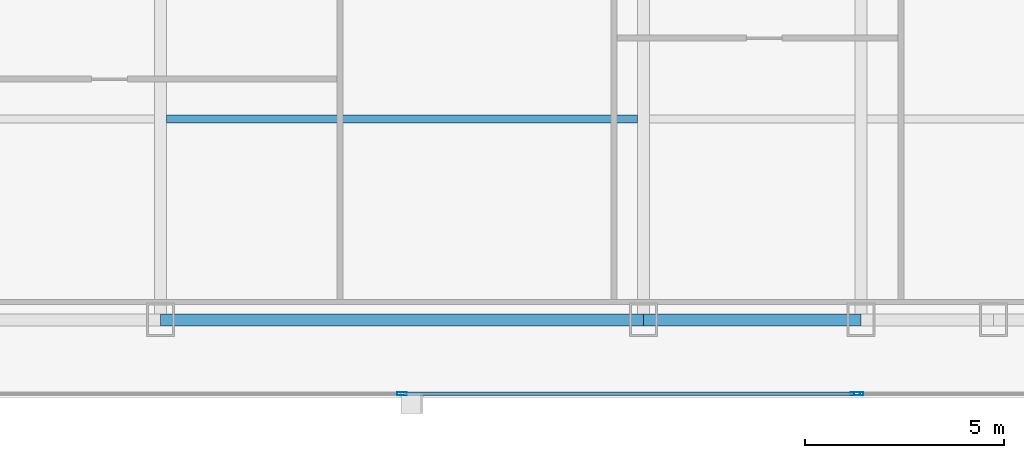
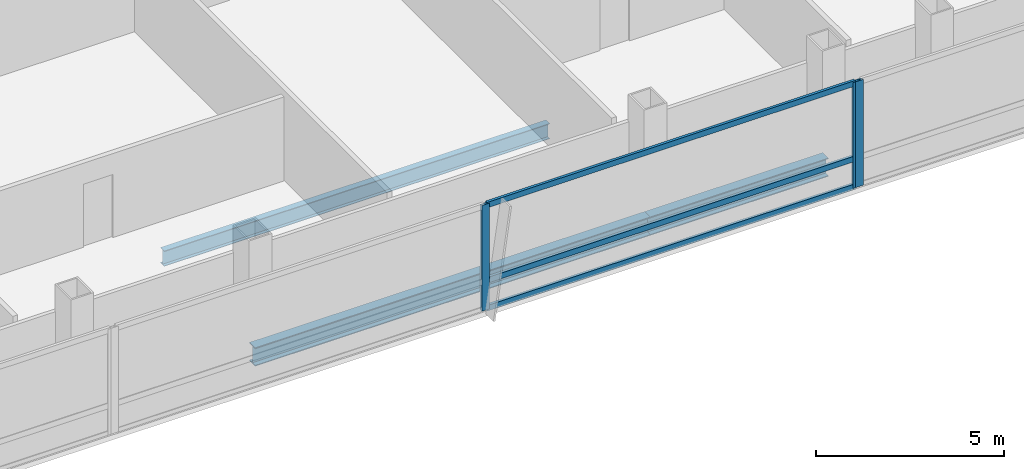
# One storey, part 13 of 29: 6 members, 3 beams, 2 elements without a shape of their own.
"""IFC4 building model written with IfcOpenShell, lengths in metres."""

from ifc_helpers import new_model, si_unit, direction, frame, origin, origin_2d, place, context, subcontext, project, spatial, hollow_rectangle, i_section, extrude, material, material_profile, profile_set, type_object, element, aggregate, save


model = new_model("IFC4")

# Units and contexts
model_context = context("Model", 3, precision=1e-05, world=origin(), true_north=direction((0.0, 1.0)))
body_context = subcontext(model_context, "Body", "Model", "MODEL_VIEW")
ifc_project = project(units=[si_unit("LENGTHUNIT", "METRE"), si_unit("AREAUNIT", "SQUARE_METRE"), si_unit("VOLUMEUNIT", "CUBIC_METRE"), si_unit("PLANEANGLEUNIT", "RADIAN"), si_unit("MASSUNIT", "GRAM", prefix="KILO")], contexts=[model_context])

# Site, building, storey
site_placement = place(None, origin())
site = spatial("IfcSite", under=ifc_project, at=site_placement, CompositionType="ELEMENT")
building_placement = place(site_placement, origin())
building = spatial("IfcBuilding", under=site, at=building_placement, Name="Khoronbel Lancet Exchange", CompositionType="ELEMENT")
storey_placement = place(building_placement, frame((0.0, 0.0, 139.800048828125)))
storey = spatial("IfcBuildingStorey", under=building, at=storey_placement, Name="L34", CompositionType="ELEMENT", Elevation=139.800048828125)

# Beams
ifc_material_1 = material(Name="Steel S355", Category="steel")
ifc_material_profile_1 = material_profile(ifc_material_1, i_section(OverallWidth=0.199951171875, OverallDepth=0.5, WebThickness=0.01025390625, FlangeThickness=0.01611328125, at=origin_2d()), Name="IPE 500")
ifc_profile_set_1 = profile_set([ifc_material_profile_1], Name="Steel S355")
beam_type_1 = type_object("IfcBeamType", Name="BM-BJ3", PredefinedType="JOIST", material=ifc_profile_set_1)
beam_1_placement = place(storey_placement, frame((30.52490234375, 15.199951171875, -0.41015625), z_axis=(1.0, 0.0, 0.0), x_axis=(0.0, 1.0, 0.0)))
element("IfcBeam", 1, at=beam_1_placement, inside=storey, type_object=beam_type_1, Name="Level L34 secondary composite joist J03", PredefinedType="JOIST", context=body_context, shape_type="SweptSolid", body=[
    extrude(i_section(OverallWidth=0.199951171875, OverallDepth=0.5, WebThickness=0.01025390625, FlangeThickness=0.01611328125, at=origin_2d()), origin(), (0.0, 0.0, 1.0), 11.85009765625),
])
ifc_material_profile_2 = material_profile(ifc_material_1, i_section(OverallWidth=0.300048828125, OverallDepth=0.60009765625, WebThickness=0.015380859375, FlangeThickness=0.030029296875, at=origin_2d()), Name="HEB 600")
ifc_profile_set_2 = profile_set([ifc_material_profile_2], Name="Steel S355")
beam_type_2 = type_object("IfcBeamType", Name="BM-BSP2", PredefinedType="SPANDREL", material=ifc_profile_set_2)
beam_2_placement = place(storey_placement, frame((30.375, 10.14990234375, -0.4599609375), z_axis=(1.0, 0.0, 0.0), x_axis=(0.0, 1.0, 0.0)))
element("IfcBeam", 2, at=beam_2_placement, inside=storey, type_object=beam_type_2, Name="Level L34 perimeter spandrel beam SP05", PredefinedType="SPANDREL", context=body_context, shape_type="SweptSolid", body=[
    extrude(i_section(OverallWidth=0.300048828125, OverallDepth=0.60009765625, WebThickness=0.015380859375, FlangeThickness=0.030029296875, at=origin_2d()), origin(), (0.0, 0.0, 1.0), 12.14990234375),
])
beam_3_placement = place(storey_placement, frame((42.52490234375, 10.14990234375, -0.4599609375), z_axis=(1.0, 0.0, 0.0), x_axis=(0.0, 1.0, 0.0)))
element("IfcBeam", 3, at=beam_3_placement, inside=storey, type_object=beam_type_2, Name="Level L34 perimeter spandrel beam SP06", PredefinedType="SPANDREL", context=body_context, shape_type="SweptSolid", body=[
    extrude(i_section(OverallWidth=0.300048828125, OverallDepth=0.60009765625, WebThickness=0.015380859375, FlangeThickness=0.030029296875, at=origin_2d()), origin(), (0.0, 0.0, 1.0), 5.47509765625),
])

# Curtain wall, members
ifc_material_2 = material(Name="Low-E Solar Control Insulating Glass", Category="glass")
curtain_wall_type = type_object("IfcCurtainWallType", Name="CW-3", PredefinedType="NOTDEFINED", material=ifc_material_2)
curtain_wall_1_placement = place(storey_placement, origin())
curtain_wall_1 = element("IfcCurtainWall", 4, at=curtain_wall_1_placement, inside=storey, type_object=curtain_wall_type, Name="Unitised curtain wall CW-L34-SCV", PredefinedType="NOTDEFINED")
ifc_material_3 = material(Name="Bronze-Anodised Aluminium 6063-T6", Category="aluminium")
ifc_material_profile_3 = material_profile(ifc_material_3, hollow_rectangle(XDim=0.0849609375, YDim=0.239990234375, WallThickness=0.006103515625, at=origin_2d()), Name="ALU MULLION 85x240")
ifc_profile_set_3 = profile_set([ifc_material_profile_3], Name="Bronze-Anodised Aluminium 6063-T6")
member_type_1 = type_object("IfcMemberType", Name="MEM-CWM1", PredefinedType="MULLION", material=ifc_profile_set_3)
member_1_placement = place(storey_placement, frame((36.449951171875, 8.2900390625, 0.0), z_axis=(0.0, 0.0, 1.0), x_axis=(0.0, 1.0, 0.0)))
member_1 = element("IfcMember", 5, at=member_1_placement, type_object=member_type_1, Name="CW3 mullion 2", PredefinedType="MULLION", context=body_context, shape_type="SweptSolid", body=[
    extrude(hollow_rectangle(XDim=0.0849609375, YDim=0.239990234375, WallThickness=0.006103515625, at=origin_2d()), origin(), (0.0, 0.0, 1.0), 3.43994140625),
])
member_2_placement = place(storey_placement, frame((47.857421875, 8.2900390625, 0.0), z_axis=(0.0, 0.0, 1.0), x_axis=(0.0, 1.0, 0.0)))
member_2 = element("IfcMember", 6, at=member_2_placement, type_object=member_type_1, Name="CW3 mullion 3", PredefinedType="MULLION", context=body_context, shape_type="SweptSolid", body=[
    extrude(hollow_rectangle(XDim=0.0849609375, YDim=0.239990234375, WallThickness=0.006103515625, at=origin_2d()), origin(), (0.0, 0.0, 1.0), 3.43994140625),
])

# Curtain wall, member
curtain_wall_2_placement = place(storey_placement, origin())
curtain_wall_2 = element("IfcCurtainWall", 7, at=curtain_wall_2_placement, inside=storey, type_object=curtain_wall_type, Name="Unitised curtain wall CW-L34-SEB", PredefinedType="NOTDEFINED")
member_3_placement = place(storey_placement, frame((47.9423828125, 8.2900390625, 0.0), z_axis=(0.0, 0.0, 1.0), x_axis=(0.0, 1.0, 0.0)))
member_3 = element("IfcMember", 8, at=member_3_placement, type_object=member_type_1, Name="CW3 mullion 1", PredefinedType="MULLION", context=body_context, shape_type="SweptSolid", body=[
    extrude(hollow_rectangle(XDim=0.0849609375, YDim=0.239990234375, WallThickness=0.006103515625, at=origin_2d()), origin(), (0.0, 0.0, 1.0), 3.43994140625),
])
aggregate(curtain_wall_2, [member_3])

# Member
ifc_material_profile_4 = material_profile(ifc_material_3, hollow_rectangle(XDim=0.0849609375, YDim=0.179931640625, WallThickness=0.0048828125, at=origin_2d()), Name="ALU TRANSOM 85x180")
ifc_profile_set_4 = profile_set([ifc_material_profile_4], Name="Bronze-Anodised Aluminium 6063-T6")
member_type_2 = type_object("IfcMemberType", Name="MEM-CWT1", PredefinedType="USERDEFINED", material=ifc_profile_set_4)
member_4_placement = place(storey_placement, frame((36.492431640625, 8.2900390625, 0.04248046875), z_axis=(1.0, 0.0, 0.0), x_axis=(0.0, 1.0, 0.0)))
member_4 = element("IfcMember", 9, at=member_4_placement, type_object=member_type_2, Name="CW3 transom 2.1", ObjectType="TRANSOM", PredefinedType="USERDEFINED", context=body_context, shape_type="SweptSolid", body=[
    extrude(hollow_rectangle(XDim=0.0849609375, YDim=0.179931640625, WallThickness=0.0048828125, at=origin_2d()), origin(), (0.0, 0.0, 1.0), 11.322509765625),
])

member_5_placement = place(storey_placement, frame((36.492431640625, 8.2900390625, 0.949951171875), z_axis=(1.0, 0.0, 0.0), x_axis=(0.0, 1.0, 0.0)))
member_5 = element("IfcMember", 10, at=member_5_placement, type_object=member_type_2, Name="CW3 transom 2.2", ObjectType="TRANSOM", PredefinedType="USERDEFINED", context=body_context, shape_type="SweptSolid", body=[
    extrude(hollow_rectangle(XDim=0.0849609375, YDim=0.179931640625, WallThickness=0.0048828125, at=origin_2d()), origin(), (0.0, 0.0, 1.0), 11.322509765625),
])

member_6_placement = place(storey_placement, frame((36.492431640625, 8.2900390625, 3.3974609375), z_axis=(1.0, 0.0, 0.0), x_axis=(0.0, 1.0, 0.0)))
member_6 = element("IfcMember", 11, at=member_6_placement, type_object=member_type_2, Name="CW3 transom 2.3", ObjectType="TRANSOM", PredefinedType="USERDEFINED", context=body_context, shape_type="SweptSolid", body=[
    extrude(hollow_rectangle(XDim=0.0849609375, YDim=0.179931640625, WallThickness=0.0048828125, at=origin_2d()), origin(), (0.0, 0.0, 1.0), 11.322509765625),
])

aggregate(curtain_wall_1, [member_1, member_2, member_4, member_5, member_6])

save(model, "model.ifc")
